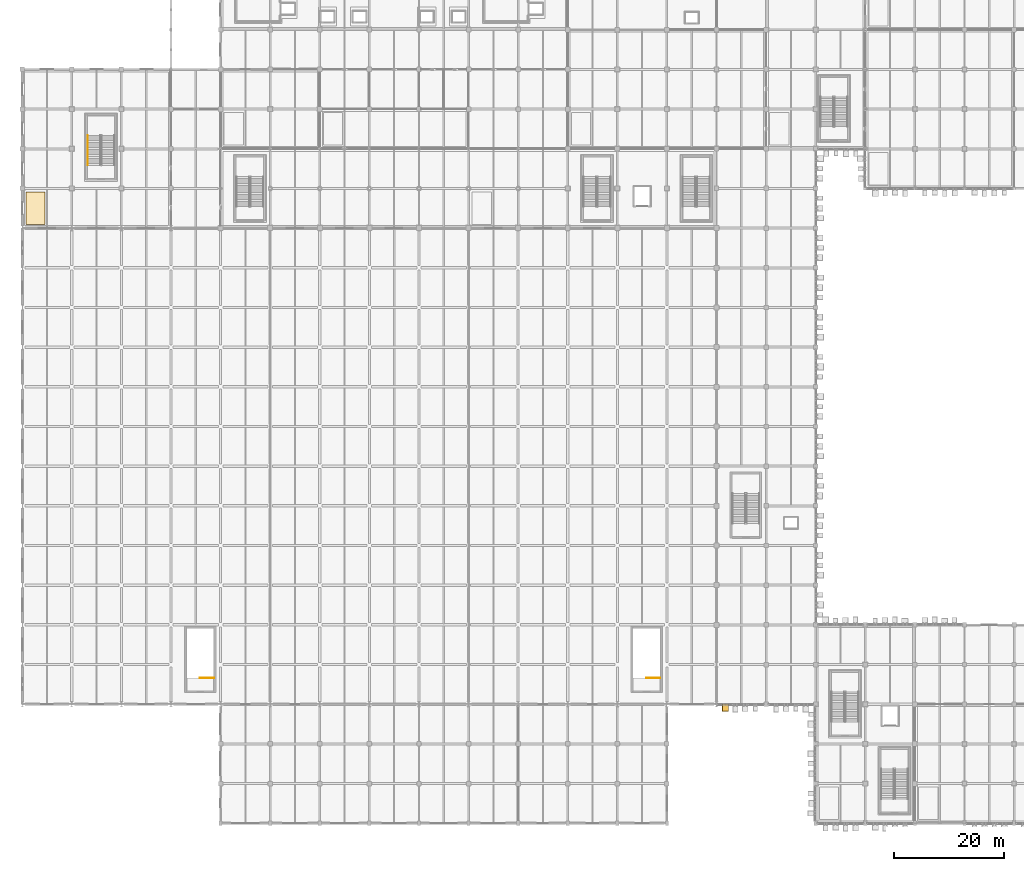
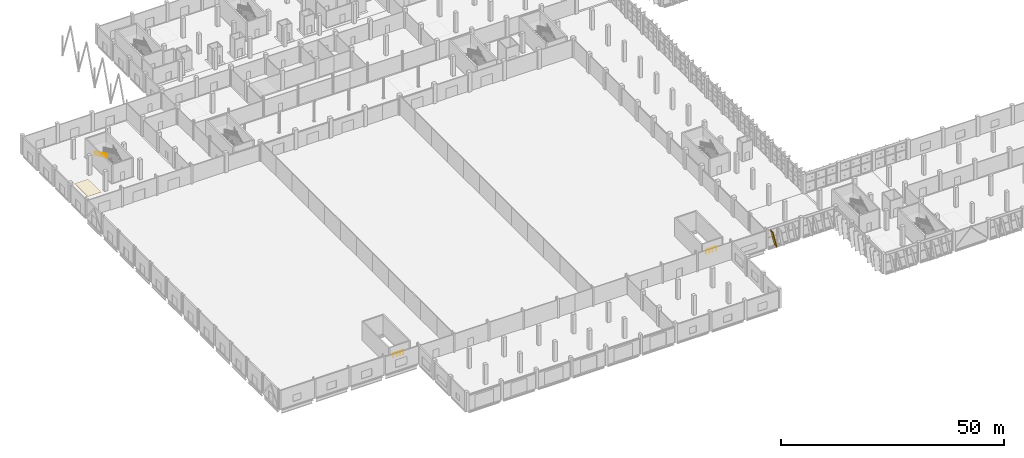
# One storey, part 108 of 137: 3 railings, 2 coverings, 1 shading device.
"""IFC4 building model written with IfcOpenShell, lengths in metres."""

from ifc_helpers import new_model, si_unit, direction, frame, origin, origin_2d, place, context, subcontext, project, spatial, polyline, rectangle, circle, outline, extrude, material, layer, layer_set, material_profile, profile_set, type_object, element, save


model = new_model("IFC4")

# Units and contexts
model_context = context("Model", 3, precision=1e-05, world=origin(), true_north=direction((0.0, 1.0)))
body_context = subcontext(model_context, "Body", "Model", "MODEL_VIEW")
ifc_project = project(units=[si_unit("LENGTHUNIT", "METRE"), si_unit("AREAUNIT", "SQUARE_METRE"), si_unit("VOLUMEUNIT", "CUBIC_METRE"), si_unit("PLANEANGLEUNIT", "RADIAN"), si_unit("MASSUNIT", "GRAM", prefix="KILO")], contexts=[model_context])

# Site, building, storey
site_placement = place(None, origin())
site = spatial("IfcSite", under=ifc_project, at=site_placement, CompositionType="ELEMENT")
building_placement = place(site_placement, origin())
building = spatial("IfcBuilding", under=site, at=building_placement, Name="Celestram Park Convention Centre", CompositionType="ELEMENT")
storey_placement = place(building_placement, origin())
storey = spatial("IfcBuildingStorey", under=building, at=storey_placement, Name="L00", CompositionType="ELEMENT", Elevation=0.0)

# Coverings
ifc_material_1 = material(Name="Perforated Acoustic Mineral-Fibre Baffle Ceiling", Category="gypsum")
ifc_layer_1 = layer(ifc_material_1, 0.0400390625)
ifc_layer_set_1 = layer_set([ifc_layer_1], Name="Perforated Acoustic Mineral-Fibre Baffle Ceiling")
covering_type_1 = type_object("IfcCoveringType", Name="ARC-COV-CLG040", PredefinedType="CEILING", material=ifc_layer_set_1)
covering_1_placement = place(storey_placement, frame((0.0, 0.0, 5.080078125)))
element("IfcCovering", 1, at=covering_1_placement, inside=storey, type_object=covering_type_1, Name="Delegate Accreditation & Registration Hall acoustic baffle ceiling", PredefinedType="CEILING", context=body_context, shape_type="SweptSolid", body=[
    extrude(outline(polyline([(0.64990234375, 108.64990234375), (4.14990234375, 108.64990234375), (4.14990234375, 114.550048828125), (0.64990234375, 114.550048828125), (0.64990234375, 108.64990234375)])), origin(), (0.0, 0.0, 1.0), 0.0400390625),
])
ifc_material_2 = material(Name="Timber-Toned Anodised Aluminium Alloy 6063-T6", Category="wood")
ifc_material_profile_1 = material_profile(ifc_material_2, rectangle(XDim=1.1201171875, YDim=0.090087890625, at=origin_2d()), Name="REED1120X90")
ifc_profile_set_1 = profile_set([ifc_material_profile_1], Name="Timber-Toned Anodised Aluminium Alloy 6063-T6")
covering_type_2 = type_object("IfcCoveringType", Name="ARC-COV-FIN1120", PredefinedType="CLADDING", material=ifc_profile_set_1)
covering_2_placement = place(storey_placement, frame((128.15478515625, 20.9599609375, 0.069580078125), z_axis=(-0.231727367965, 0.0, 0.972780770233), x_axis=(0.0, -1.0, 0.0)))
element("IfcCovering", 2, at=covering_2_placement, inside=storey, type_object=covering_type_2, Name="Leaning timber-toned reed fin RFN-L00-0127", PredefinedType="CLADDING", context=body_context, shape_type="SweptSolid", body=[
    extrude(rectangle(XDim=1.1201171875, YDim=0.090087890625, at=origin_2d()), origin(), (0.0, 0.0, 1.0), 4.73681640625),
])

# Shading device
ifc_material_3 = material(Name="Anodised Bronze Aluminium Alloy 6063-T6", Category="aluminium")
ifc_material_profile_2 = material_profile(ifc_material_3, rectangle(XDim=1.280029296875, YDim=0.080078125, at=origin_2d()), Name="FIN1280X80")
ifc_profile_set_2 = profile_set([ifc_material_profile_2], Name="Anodised Bronze Aluminium Alloy 6063-T6")
shading_device_type = type_object("IfcShadingDeviceType", Name="ARC-FIN-BZ1280", PredefinedType="USERDEFINED", material=ifc_profile_set_2)
shading_device_placement = place(storey_placement, frame((128.15478515625, 20.9599609375, 0.069580078125), z_axis=(-0.231727367965, 0.0, 0.972780770233), x_axis=(0.0, -1.0, 0.0)))
element("IfcShadingDevice", 3, at=shading_device_placement, inside=storey, type_object=shading_device_type, Name="Expressive solar fin FN-L00-0127", ObjectType="SOLAR_FIN", PredefinedType="USERDEFINED", context=body_context, shape_type="SweptSolid", body=[
    extrude(rectangle(XDim=1.280029296875, YDim=0.080078125, at=origin_2d()), origin(), (0.0, 0.0, 1.0), 4.73681640625),
])

# Railings
ifc_material_4 = material(Name="Stainless Steel AISI 316L & Laminated Glass", Category="steel")
ifc_layer_2 = layer(ifc_material_4, 0.06005859375)
ifc_layer_set_2 = layer_set([ifc_layer_2], Name="Stainless Steel AISI 316L & Laminated Glass")
railing_type_1 = type_object("IfcRailingType", Name="ARC-RL-GRD1120", PredefinedType="GUARDRAIL", material=ifc_layer_set_2)
for number, where, name in (
    (4, (34.800048828125, 26.35009765625, 0.0), "L00 ST-17 top well guard 1"),
    (5, (115.800048828125, 26.35009765625, 0.0), "L00 ST-18 top well guard 1"),
):
    element("IfcRailing", number, at=place(storey_placement, frame(where)), inside=storey, type_object=railing_type_1, Name=name, PredefinedType="GUARDRAIL", context=body_context, shape_type="SweptSolid", body=[
        extrude(circle(Radius=0.02392578125, at=origin_2d()), frame((0.0, 0.0, 1.09619140625), z_axis=(-1.0, 0.0, 0.0), x_axis=(0.0, -1.0, 0.0)), (0.0, 0.0, 1.0), 2.56005859375),
        extrude(circle(Radius=0.02099609375, at=origin_2d()), origin(), (0.0, 0.0, 1.0), 1.072021484375),
        extrude(circle(Radius=0.02099609375, at=origin_2d()), frame((-0.853271484375, 0.0, 0.0)), (0.0, 0.0, 1.0), 1.072021484375),
        extrude(circle(Radius=0.02099609375, at=origin_2d()), frame((-1.706787109375, 0.0, 0.0)), (0.0, 0.0, 1.0), 1.072021484375),
        extrude(circle(Radius=0.02099609375, at=origin_2d()), frame((-2.56005859375, 0.0, 0.0)), (0.0, 0.0, 1.0), 1.072021484375),
    ])
ifc_material_5 = material(Name="Brushed Stainless Steel AISI 304", Category="steel")
ifc_layer_3 = layer(ifc_material_5, 0.048095703125)
ifc_layer_set_3 = layer_set([ifc_layer_3], Name="Brushed Stainless Steel AISI 304")
railing_type_2 = type_object("IfcRailingType", Name="ARC-RL-HND915", PredefinedType="HANDRAIL", material=ifc_layer_set_3)
railing_placement = place(storey_placement, frame((11.8759765625, 124.840087890625, 2.85009765625)))
element("IfcRailing", 6, at=railing_placement, inside=storey, type_object=railing_type_2, Name="L00 ST-15 stair handrail 2", PredefinedType="HANDRAIL", context=body_context, shape_type="SweptSolid", body=[
    extrude(circle(Radius=0.02392578125, at=origin_2d()), frame((0.0, 0.0, 0.8759765625), z_axis=(0.0, -0.90547699167, 0.424395355248), x_axis=(1.0, 0.0, 0.0)), (0.0, 0.0, 1.0), 6.008056640625),
    extrude(circle(Radius=0.02099609375, at=origin_2d()), origin(), (0.0, 0.0, 1.0), 0.851806640625),
    extrude(circle(Radius=0.02099609375, at=origin_2d()), frame((0.0, -0.90673828125, 0.425048828125)), (0.0, 0.0, 1.0), 0.851806640625),
    extrude(circle(Radius=0.02099609375, at=origin_2d()), frame((0.0, -1.8134765625, 0.849853515625)), (0.0, 0.0, 1.0), 0.851806640625),
    extrude(circle(Radius=0.02099609375, at=origin_2d()), frame((0.0, -2.72021484375, 1.27490234375)), (0.0, 0.0, 1.0), 0.851806640625),
    extrude(circle(Radius=0.02099609375, at=origin_2d()), frame((0.0, -3.626708984375, 1.699951171875)), (0.0, 0.0, 1.0), 0.851806640625),
    extrude(circle(Radius=0.02099609375, at=origin_2d()), frame((0.0, -4.533447265625, 2.124755859375)), (0.0, 0.0, 1.0), 0.851806640625),
    extrude(circle(Radius=0.02099609375, at=origin_2d()), frame((0.0, -5.440185546875, 2.5498046875)), (0.0, 0.0, 1.0), 0.851806640625),
])

save(model, "model.ifc")
